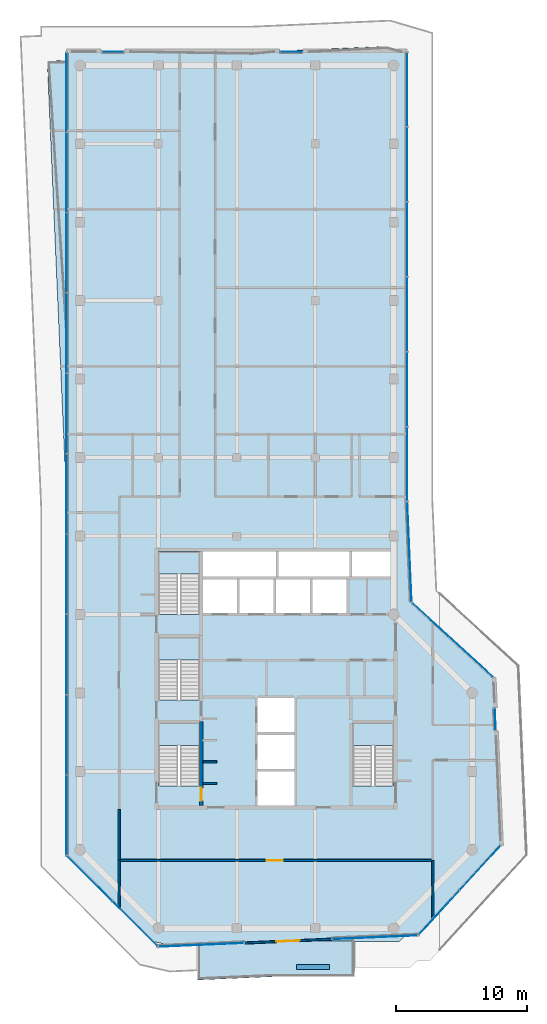
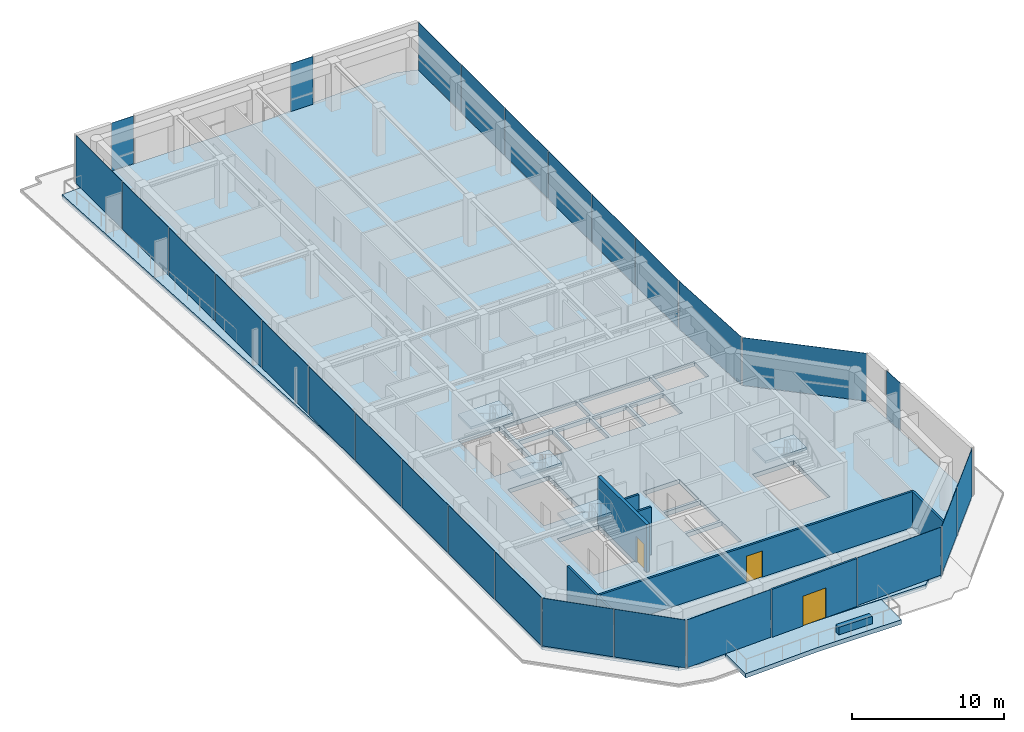
# One storey, part 15 of 20: 27 plates, 9 walls, 6 slabs, 3 doors, 3 openings, 15 elements without a shape of their own.
"""IFC4 building model written with IfcOpenShell, lengths in metres."""

from ifc_helpers import new_model, si_unit, direction, frame, frame_2d, origin, origin_2d, place, context, subcontext, project, spatial, polyline, rectangle, outline, extrude, material, layer, layer_set, type_object, element, fill, aggregate, save


model = new_model("IFC4")

# Units and contexts
model_context = context("Model", 3, precision=1e-05, world=origin(), true_north=direction((0.0, 1.0)))
body_context = subcontext(model_context, "Body", "Model", "MODEL_VIEW")
ifc_project = project(units=[si_unit("LENGTHUNIT", "METRE"), si_unit("AREAUNIT", "SQUARE_METRE"), si_unit("VOLUMEUNIT", "CUBIC_METRE"), si_unit("PLANEANGLEUNIT", "RADIAN"), si_unit("MASSUNIT", "GRAM", prefix="KILO")], contexts=[model_context])

# Site, building, storey
site_placement = place(None, origin())
site = spatial("IfcSite", under=ifc_project, at=site_placement, CompositionType="ELEMENT")
building_placement = place(site_placement, origin())
building = spatial("IfcBuilding", under=site, at=building_placement, Name="Welwitschia Terrace Campus", CompositionType="ELEMENT")
storey_placement = place(building_placement, frame((0.0, 0.0, 297.800048828125)))
storey = spatial("IfcBuildingStorey", under=building, at=storey_placement, Name="L66", CompositionType="ELEMENT", Elevation=297.800048828125)

# Curtain wall, plates
ifc_material_1 = material(Name="Bronze anodised aluminium", Category="aluminium")
ifc_layer_1 = layer(ifc_material_1, 0.1201171875)
ifc_layer_set_1 = layer_set([ifc_layer_1], Name="Bronze anodised aluminium")
curtain_wall_type = type_object("IfcCurtainWallType", Name="Curtain wall CW2 tower 6000", PredefinedType="NOTDEFINED", material=ifc_layer_set_1)
curtain_wall_1_placement = place(storey_placement, origin())
curtain_wall_1 = element("IfcCurtainWall", 1, at=curtain_wall_1_placement, inside=storey, type_object=curtain_wall_type, Name="CW L66.0.0", PredefinedType="NOTDEFINED")
ifc_material_2 = material(Name="Tinted bronze-grey glass", Category="glass")
ifc_layer_2 = layer(ifc_material_2, 0.028076171875)
ifc_layer_set_2 = layer_set([ifc_layer_2], Name="Tinted bronze-grey glass")
plate_type = type_object("IfcPlateType", Name="Glass panel 28 tinted", PredefinedType="CURTAIN_PANEL", material=ifc_layer_set_2)
plate_1_placement = place(storey_placement, frame((0.726806640625, -0.18359375, 0.0), z_axis=(0.0, 0.0, 1.0), x_axis=(0.707106781187, -0.707106781187, 0.0)))
plate_1 = element("IfcPlate", 2, at=plate_1_placement, type_object=plate_type, Name="Panel L66.0.0.0", PredefinedType="CURTAIN_PANEL", context=body_context, shape_type="SweptSolid", body=[
    extrude(rectangle(XDim=4.849365234375, YDim=0.028076171875, at=origin_2d()), origin(), (0.0, 0.0, 1.0), 3.85009765625),
])
plate_2_placement = place(storey_placement, frame((4.1982421875, -3.655029296875, 0.0), z_axis=(0.0, 0.0, 1.0), x_axis=(0.707106781187, -0.707106781187, 0.0)))
plate_2 = element("IfcPlate", 3, at=plate_2_placement, type_object=plate_type, Name="Panel L66.0.0.1", PredefinedType="CURTAIN_PANEL", context=body_context, shape_type="SweptSolid", body=[
    extrude(rectangle(XDim=4.849365234375, YDim=0.028076171875, at=origin_2d()), origin(), (0.0, 0.0, 1.0), 3.85009765625),
])
aggregate(curtain_wall_1, [plate_1, plate_2])

# Curtain wall, plate
curtain_wall_2_placement = place(storey_placement, origin())
curtain_wall_2 = element("IfcCurtainWall", 4, at=curtain_wall_2_placement, inside=storey, type_object=curtain_wall_type, Name="CW L66.1.0", PredefinedType="NOTDEFINED")
plate_3_placement = place(storey_placement, frame((9.275146484375, -5.266845703125, 0.0), z_axis=(0.0, 0.0, 1.0), x_axis=(0.999048221582, 0.043619387365, 0.0)))
plate_3 = element("IfcPlate", 5, at=plate_3_placement, type_object=plate_type, Name="Panel L66.1.0.0", PredefinedType="CURTAIN_PANEL", context=body_context, shape_type="SweptSolid", body=[
    extrude(rectangle(XDim=6.526123046875, YDim=0.028076171875, at=origin_2d()), origin(), (0.0, 0.0, 1.0), 3.85009765625),
])
aggregate(curtain_wall_2, [plate_3])

curtain_wall_3_placement = place(storey_placement, origin())
curtain_wall_3 = element("IfcCurtainWall", 6, at=curtain_wall_3_placement, inside=storey, type_object=curtain_wall_type, Name="CW L66.1.2", PredefinedType="NOTDEFINED")
plate_4_placement = place(storey_placement, frame((22.554443359375, -4.687255859375, 0.0), z_axis=(0.0, 0.0, 1.0), x_axis=(0.999048221582, 0.043619387365, 0.0)))
plate_4 = element("IfcPlate", 7, at=plate_4_placement, type_object=plate_type, Name="Panel L66.1.2.0", PredefinedType="CURTAIN_PANEL", context=body_context, shape_type="SweptSolid", body=[
    extrude(rectangle(XDim=6.526123046875, YDim=0.028076171875, at=origin_2d()), origin(), (0.0, 0.0, 1.0), 3.85009765625),
])
aggregate(curtain_wall_3, [plate_4])

# Curtain wall, plates
curtain_wall_4_placement = place(storey_placement, origin())
curtain_wall_4 = element("IfcCurtainWall", 8, at=curtain_wall_4_placement, inside=storey, type_object=curtain_wall_type, Name="CW L66.2.0", PredefinedType="NOTDEFINED")
plate_5_placement = place(storey_placement, frame((27.461669921875, -2.809814453125, 0.0), z_axis=(0.0, 0.0, 1.0), x_axis=(0.675590207616, 0.73727733681, 0.0)))
plate_5 = element("IfcPlate", 9, at=plate_5_placement, type_object=plate_type, Name="Panel L66.2.0.0", PredefinedType="CURTAIN_PANEL", context=body_context, shape_type="SweptSolid", body=[
    extrude(rectangle(XDim=4.579345703125, YDim=0.028076171875, at=origin_2d()), origin(), (0.0, 0.0, 1.0), 3.85009765625),
])
plate_6_placement = place(storey_placement, frame((30.595947265625, 0.610595703125, 0.0), z_axis=(0.0, 0.0, 1.0), x_axis=(0.675590207616, 0.73727733681, 0.0)))
plate_6 = element("IfcPlate", 10, at=plate_6_placement, type_object=plate_type, Name="Panel L66.2.0.1", PredefinedType="CURTAIN_PANEL", context=body_context, shape_type="SweptSolid", body=[
    extrude(rectangle(XDim=4.579345703125, YDim=0.028076171875, at=origin_2d()), origin(), (0.0, 0.0, 1.0), 3.85009765625),
])
aggregate(curtain_wall_4, [plate_5, plate_6])

# Curtain wall, plate
curtain_wall_5_placement = place(storey_placement, origin())
curtain_wall_5 = element("IfcCurtainWall", 11, at=curtain_wall_5_placement, inside=storey, type_object=curtain_wall_type, Name="CW L66.3.S0", PredefinedType="NOTDEFINED")
plate_7_placement = place(storey_placement, frame((31.762939453125, 11.9736328125, 0.0), z_axis=(0.0, 0.0, 1.0), x_axis=(-0.043619387365, 0.999048221582, 0.0)))
plate_7 = element("IfcPlate", 12, at=plate_7_placement, type_object=plate_type, Name="Panel L66.3.S0.0", PredefinedType="CURTAIN_PANEL", context=body_context, shape_type="SweptSolid", body=[
    extrude(rectangle(XDim=1.679931640625, YDim=0.028076171875, at=origin_2d()), origin(), (0.0, 0.0, 1.0), 3.85009765625),
])
aggregate(curtain_wall_5, [plate_7])

curtain_wall_6_placement = place(storey_placement, origin())
curtain_wall_6 = element("IfcCurtainWall", 13, at=curtain_wall_6_placement, inside=storey, type_object=curtain_wall_type, Name="CW L66.4.0", PredefinedType="NOTDEFINED")
plate_8_placement = place(storey_placement, frame((28.494873046875, 18.05029296875, 0.0), z_axis=(0.0, 0.0, 1.0), x_axis=(-0.73727733681, 0.675590207616, 0.0)))
plate_8 = element("IfcPlate", 14, at=plate_8_placement, type_object=plate_type, Name="Panel L66.4.0.0", PredefinedType="CURTAIN_PANEL", context=body_context, shape_type="SweptSolid", body=[
    extrude(rectangle(XDim=8.365234375, YDim=0.028076171875, at=origin_2d()), origin(), (0.0, 0.0, 1.0), 3.85009765625),
])
aggregate(curtain_wall_6, [plate_8])

curtain_wall_7_placement = place(storey_placement, origin())
curtain_wall_7 = element("IfcCurtainWall", 15, at=curtain_wall_7_placement, inside=storey, type_object=curtain_wall_type, Name="CW L66.5.0", PredefinedType="NOTDEFINED")
plate_9_placement = place(storey_placement, frame((25.198486328125, 24.77294921875, 0.0), z_axis=(0.0, 0.0, 1.0), x_axis=(-0.043619387365, 0.999048221582, 0.0)))
plate_9 = element("IfcPlate", 16, at=plate_9_placement, type_object=plate_type, Name="Panel L66.5.0.0", PredefinedType="CURTAIN_PANEL", context=body_context, shape_type="SweptSolid", body=[
    extrude(rectangle(XDim=7.60009765625, YDim=0.028076171875, at=origin_2d()), origin(), (0.0, 0.0, 1.0), 3.85009765625),
])
aggregate(curtain_wall_7, [plate_9])

# Curtain wall, plates
curtain_wall_8_placement = place(storey_placement, origin())
curtain_wall_8 = element("IfcCurtainWall", 17, at=curtain_wall_8_placement, inside=storey, type_object=curtain_wall_type, Name="CW L66.6.0", PredefinedType="NOTDEFINED")
plate_10_placement = place(storey_placement, frame((25.030029296875, 31.510498046875, 0.0), z_axis=(0.0, 0.0, 1.0), x_axis=(0.0, 1.0, 0.0)))
plate_10 = element("IfcPlate", 18, at=plate_10_placement, type_object=plate_type, Name="Panel L66.6.0.0", PredefinedType="CURTAIN_PANEL", context=body_context, shape_type="SweptSolid", body=[
    extrude(rectangle(XDim=5.64208984375, YDim=0.028076171875, at=origin_2d()), origin(), (0.0, 0.0, 1.0), 3.85009765625),
])
plate_11_placement = place(storey_placement, frame((25.030029296875, 37.2275390625, 0.0), z_axis=(0.0, 0.0, 1.0), x_axis=(0.0, 1.0, 0.0)))
plate_11 = element("IfcPlate", 19, at=plate_11_placement, type_object=plate_type, Name="Panel L66.6.0.1", PredefinedType="CURTAIN_PANEL", context=body_context, shape_type="SweptSolid", body=[
    extrude(rectangle(XDim=5.672119140625, YDim=0.028076171875, at=origin_2d()), origin(), (0.0, 0.0, 1.0), 3.85009765625),
])
plate_12_placement = place(storey_placement, frame((25.030029296875, 42.959716796875, 0.0), z_axis=(0.0, 0.0, 1.0), x_axis=(0.0, 1.0, 0.0)))
plate_12 = element("IfcPlate", 20, at=plate_12_placement, type_object=plate_type, Name="Panel L66.6.0.2", PredefinedType="CURTAIN_PANEL", context=body_context, shape_type="SweptSolid", body=[
    extrude(rectangle(XDim=5.672119140625, YDim=0.028076171875, at=origin_2d()), origin(), (0.0, 0.0, 1.0), 3.85009765625),
])
plate_13_placement = place(storey_placement, frame((25.030029296875, 48.69189453125, 0.0), z_axis=(0.0, 0.0, 1.0), x_axis=(0.0, 1.0, 0.0)))
plate_13 = element("IfcPlate", 21, at=plate_13_placement, type_object=plate_type, Name="Panel L66.6.0.3", PredefinedType="CURTAIN_PANEL", context=body_context, shape_type="SweptSolid", body=[
    extrude(rectangle(XDim=5.672119140625, YDim=0.028076171875, at=origin_2d()), origin(), (0.0, 0.0, 1.0), 3.85009765625),
])
plate_14_placement = place(storey_placement, frame((25.030029296875, 54.424072265625, 0.0), z_axis=(0.0, 0.0, 1.0), x_axis=(0.0, 1.0, 0.0)))
plate_14 = element("IfcPlate", 22, at=plate_14_placement, type_object=plate_type, Name="Panel L66.6.0.4", PredefinedType="CURTAIN_PANEL", context=body_context, shape_type="SweptSolid", body=[
    extrude(rectangle(XDim=5.672119140625, YDim=0.028076171875, at=origin_2d()), origin(), (0.0, 0.0, 1.0), 3.85009765625),
])
plate_15_placement = place(storey_placement, frame((25.030029296875, 60.141357421875, 0.0), z_axis=(0.0, 0.0, 1.0), x_axis=(0.0, 1.0, 0.0)))
plate_15 = element("IfcPlate", 23, at=plate_15_placement, type_object=plate_type, Name="Panel L66.6.0.5", PredefinedType="CURTAIN_PANEL", context=body_context, shape_type="SweptSolid", body=[
    extrude(rectangle(XDim=5.64208984375, YDim=0.028076171875, at=origin_2d()), origin(), (0.0, 0.0, 1.0), 3.85009765625),
])
aggregate(curtain_wall_8, [plate_10, plate_11, plate_12, plate_13, plate_14, plate_15])

# Curtain wall, plate
curtain_wall_9_placement = place(storey_placement, origin())
curtain_wall_9 = element("IfcCurtainWall", 24, at=curtain_wall_9_placement, inside=storey, type_object=curtain_wall_type, Name="CW L66.7.S0", PredefinedType="NOTDEFINED")
plate_16_placement = place(storey_placement, frame((16.17041015625, 63.028076171875, 0.0), z_axis=(0.0, 0.0, 1.0), x_axis=(-0.999999794897, 0.000640473955, 0.0)))
plate_16 = element("IfcPlate", 25, at=plate_16_placement, type_object=plate_type, Name="Panel L66.7.S0.0", PredefinedType="CURTAIN_PANEL", context=body_context, shape_type="SweptSolid", body=[
    extrude(rectangle(XDim=1.679931640625, YDim=0.028076171875, at=origin_2d()), origin(), (0.0, 0.0, 1.0), 3.85009765625),
])
aggregate(curtain_wall_9, [plate_16])

curtain_wall_10_placement = place(storey_placement, origin())
curtain_wall_10 = element("IfcCurtainWall", 26, at=curtain_wall_10_placement, inside=storey, type_object=curtain_wall_type, Name="CW L66.8.S0", PredefinedType="NOTDEFINED")
plate_17_placement = place(storey_placement, frame((2.53173828125, 63.030029296875, 0.0), z_axis=(0.0, 0.0, 1.0), x_axis=(-1.0, 0.0, 0.0)))
plate_17 = element("IfcPlate", 27, at=plate_17_placement, type_object=plate_type, Name="Panel L66.8.S0.0", PredefinedType="CURTAIN_PANEL", context=body_context, shape_type="SweptSolid", body=[
    extrude(rectangle(XDim=1.679931640625, YDim=0.028076171875, at=origin_2d()), origin(), (0.0, 0.0, 1.0), 3.85009765625),
])
aggregate(curtain_wall_10, [plate_17])

# Curtain wall, plates
curtain_wall_11_placement = place(storey_placement, origin())
curtain_wall_11 = element("IfcCurtainWall", 28, at=curtain_wall_11_placement, inside=storey, type_object=curtain_wall_type, Name="CW L66.9.0", PredefinedType="NOTDEFINED")
plate_18_placement = place(storey_placement, frame((-1.030029296875, 59.942138671875, 0.0), z_axis=(0.0, 0.0, 1.0), x_axis=(0.0, -1.0, 0.0)))
plate_18 = element("IfcPlate", 29, at=plate_18_placement, type_object=plate_type, Name="Panel L66.9.0.0", PredefinedType="CURTAIN_PANEL", context=body_context, shape_type="SweptSolid", body=[
    extrude(rectangle(XDim=6.0556640625, YDim=0.028076171875, at=origin_2d()), origin(), (0.0, 0.0, 1.0), 3.85009765625),
])
plate_19_placement = place(storey_placement, frame((-1.030029296875, 53.8115234375, 0.0), z_axis=(0.0, 0.0, 1.0), x_axis=(0.0, -1.0, 0.0)))
plate_19 = element("IfcPlate", 30, at=plate_19_placement, type_object=plate_type, Name="Panel L66.9.0.1", PredefinedType="CURTAIN_PANEL", context=body_context, shape_type="SweptSolid", body=[
    extrude(rectangle(XDim=6.085693359375, YDim=0.028076171875, at=origin_2d()), origin(), (0.0, 0.0, 1.0), 3.85009765625),
])
plate_20_placement = place(storey_placement, frame((-1.030029296875, 47.665771484375, 0.0), z_axis=(0.0, 0.0, 1.0), x_axis=(0.0, -1.0, 0.0)))
plate_20 = element("IfcPlate", 31, at=plate_20_placement, type_object=plate_type, Name="Panel L66.9.0.2", PredefinedType="CURTAIN_PANEL", context=body_context, shape_type="SweptSolid", body=[
    extrude(rectangle(XDim=6.085693359375, YDim=0.028076171875, at=origin_2d()), origin(), (0.0, 0.0, 1.0), 3.85009765625),
])
plate_21_placement = place(storey_placement, frame((-1.030029296875, 41.520263671875, 0.0), z_axis=(0.0, 0.0, 1.0), x_axis=(0.0, -1.0, 0.0)))
plate_21 = element("IfcPlate", 32, at=plate_21_placement, type_object=plate_type, Name="Panel L66.9.0.3", PredefinedType="CURTAIN_PANEL", context=body_context, shape_type="SweptSolid", body=[
    extrude(rectangle(XDim=6.085693359375, YDim=0.028076171875, at=origin_2d()), origin(), (0.0, 0.0, 1.0), 3.85009765625),
])
plate_22_placement = place(storey_placement, frame((-1.030029296875, 35.37451171875, 0.0), z_axis=(0.0, 0.0, 1.0), x_axis=(0.0, -1.0, 0.0)))
plate_22 = element("IfcPlate", 33, at=plate_22_placement, type_object=plate_type, Name="Panel L66.9.0.4", PredefinedType="CURTAIN_PANEL", context=body_context, shape_type="SweptSolid", body=[
    extrude(rectangle(XDim=6.085693359375, YDim=0.028076171875, at=origin_2d()), origin(), (0.0, 0.0, 1.0), 3.85009765625),
])
plate_23_placement = place(storey_placement, frame((-1.030029296875, 29.228759765625, 0.0), z_axis=(0.0, 0.0, 1.0), x_axis=(0.0, -1.0, 0.0)))
plate_23 = element("IfcPlate", 34, at=plate_23_placement, type_object=plate_type, Name="Panel L66.9.0.5", PredefinedType="CURTAIN_PANEL", context=body_context, shape_type="SweptSolid", body=[
    extrude(rectangle(XDim=6.085693359375, YDim=0.028076171875, at=origin_2d()), origin(), (0.0, 0.0, 1.0), 3.85009765625),
])
plate_24_placement = place(storey_placement, frame((-1.030029296875, 23.083251953125, 0.0), z_axis=(0.0, 0.0, 1.0), x_axis=(0.0, -1.0, 0.0)))
plate_24 = element("IfcPlate", 35, at=plate_24_placement, type_object=plate_type, Name="Panel L66.9.0.6", PredefinedType="CURTAIN_PANEL", context=body_context, shape_type="SweptSolid", body=[
    extrude(rectangle(XDim=6.085693359375, YDim=0.028076171875, at=origin_2d()), origin(), (0.0, 0.0, 1.0), 3.85009765625),
])
plate_25_placement = place(storey_placement, frame((-1.030029296875, 16.9375, 0.0), z_axis=(0.0, 0.0, 1.0), x_axis=(0.0, -1.0, 0.0)))
plate_25 = element("IfcPlate", 36, at=plate_25_placement, type_object=plate_type, Name="Panel L66.9.0.7", PredefinedType="CURTAIN_PANEL", context=body_context, shape_type="SweptSolid", body=[
    extrude(rectangle(XDim=6.085693359375, YDim=0.028076171875, at=origin_2d()), origin(), (0.0, 0.0, 1.0), 3.85009765625),
])
plate_26_placement = place(storey_placement, frame((-1.030029296875, 10.791748046875, 0.0), z_axis=(0.0, 0.0, 1.0), x_axis=(0.0, -1.0, 0.0)))
plate_26 = element("IfcPlate", 37, at=plate_26_placement, type_object=plate_type, Name="Panel L66.9.0.8", PredefinedType="CURTAIN_PANEL", context=body_context, shape_type="SweptSolid", body=[
    extrude(rectangle(XDim=6.085693359375, YDim=0.028076171875, at=origin_2d()), origin(), (0.0, 0.0, 1.0), 3.85009765625),
])
plate_27_placement = place(storey_placement, frame((-1.030029296875, 4.6611328125, 0.0), z_axis=(0.0, 0.0, 1.0), x_axis=(0.0, -1.0, 0.0)))
plate_27 = element("IfcPlate", 38, at=plate_27_placement, type_object=plate_type, Name="Panel L66.9.0.9", PredefinedType="CURTAIN_PANEL", context=body_context, shape_type="SweptSolid", body=[
    extrude(rectangle(XDim=6.0556640625, YDim=0.028076171875, at=origin_2d()), origin(), (0.0, 0.0, 1.0), 3.85009765625),
])
aggregate(curtain_wall_11, [plate_18, plate_19, plate_20, plate_21, plate_22, plate_23, plate_24, plate_25, plate_26, plate_27])

# Stair, slab
ifc_material_3 = material(Name="Concrete C40/50", Category="concrete")
stair_type = type_object("IfcStairType", Name="Stair 24R 175 W1500", PredefinedType="HALF_TURN_STAIR", material=ifc_material_3)
stair_1_placement = place(storey_placement, origin())
stair_1 = element("IfcStair", 39, at=stair_1_placement, inside=storey, type_object=stair_type, Name="L66 Exit stair S1", PredefinedType="HALF_TURN_STAIR")
ifc_material_4 = material(Name="Concrete C40/50", Category="concrete")
ifc_layer_3 = layer(ifc_material_4, 0.199951171875)
ifc_layer_set_3 = layer_set([ifc_layer_3], Name="Concrete C40/50")
slab_type_1 = type_object("IfcSlabType", Name="Stair landing RC", PredefinedType="LANDING", material=ifc_layer_set_3)
slab_1_placement = place(storey_placement, frame((0.0, 0.0, 1.89990234375)))
slab_1 = element("IfcSlab", 40, at=slab_1_placement, type_object=slab_type_1, Name="S1 landing 1", PredefinedType="LANDING", context=body_context, shape_type="SweptSolid", body=[
    extrude(outline(polyline([(9.14990234375, 9.97998046875), (9.14990234375, 11.699951171875), (6.0, 11.699951171875), (6.0, 9.97998046875), (9.14990234375, 9.97998046875)])), origin(), (0.0, 0.0, 1.0), 0.199951171875),
])
aggregate(stair_1, [slab_1])

stair_2_placement = place(storey_placement, origin())
stair_2 = element("IfcStair", 41, at=stair_2_placement, inside=storey, type_object=stair_type, Name="L66 Exit stair S3", PredefinedType="HALF_TURN_STAIR")
slab_2_placement = place(storey_placement, frame((0.0, 0.0, 1.89990234375)))
slab_2 = element("IfcSlab", 42, at=slab_2_placement, type_object=slab_type_1, Name="S3 landing 1", PredefinedType="LANDING", context=body_context, shape_type="SweptSolid", body=[
    extrude(outline(polyline([(9.14990234375, 16.530029296875), (9.14990234375, 18.25), (6.0, 18.25), (6.0, 16.530029296875), (9.14990234375, 16.530029296875)])), origin(), (0.0, 0.0, 1.0), 0.199951171875),
])
aggregate(stair_2, [slab_2])

stair_3_placement = place(storey_placement, origin())
stair_3 = element("IfcStair", 43, at=stair_3_placement, inside=storey, type_object=stair_type, Name="L66 Exit stair S4", PredefinedType="HALF_TURN_STAIR")
slab_3_placement = place(storey_placement, frame((0.0, 0.0, 1.89990234375)))
slab_3 = element("IfcSlab", 44, at=slab_3_placement, type_object=slab_type_1, Name="S4 landing 1", PredefinedType="LANDING", context=body_context, shape_type="SweptSolid", body=[
    extrude(outline(polyline([(9.14990234375, 23.080078125), (9.14990234375, 24.800048828125), (6.0, 24.800048828125), (6.0, 23.080078125), (9.14990234375, 23.080078125)])), origin(), (0.0, 0.0, 1.0), 0.199951171875),
])
aggregate(stair_3, [slab_3])

stair_4_placement = place(storey_placement, origin())
stair_4 = element("IfcStair", 45, at=stair_4_placement, inside=storey, type_object=stair_type, Name="L66 Exit stair S2", PredefinedType="HALF_TURN_STAIR")
slab_4_placement = place(storey_placement, frame((0.0, 0.0, 1.89990234375)))
slab_4 = element("IfcSlab", 46, at=slab_4_placement, type_object=slab_type_1, Name="S2 landing 1", PredefinedType="LANDING", context=body_context, shape_type="SweptSolid", body=[
    extrude(outline(polyline([(24.0, 9.97998046875), (24.0, 11.699951171875), (20.85009765625, 11.699951171875), (20.85009765625, 9.97998046875), (24.0, 9.97998046875)])), origin(), (0.0, 0.0, 1.0), 0.199951171875),
])
aggregate(stair_4, [slab_4])

# Slabs
ifc_material_5 = material(Name="Concrete C40/50", Category="concrete")
ifc_layer_4 = layer(ifc_material_5, 0.35009765625)
ifc_layer_set_4 = layer_set([ifc_layer_4], Name="Concrete C40/50")
slab_type_2 = type_object("IfcSlabType", Name="Suspended floor slab 350", PredefinedType="FLOOR", material=ifc_layer_set_4)
slab_5_placement = place(storey_placement, frame((0.0, 0.0, -0.35009765625)))
element("IfcSlab", 47, at=slab_5_placement, inside=storey, type_object=slab_type_2, Name="Floor slab L66", PredefinedType="FLOOR", context=body_context, shape_type="SweptSolid", body=[
    extrude(outline(polyline([(-1.0, 62.379150390625), (-1.0, 63.0), (13.2177734375, 63.0), (23.479736328125, 63.447998046875), (25.0, 63.0), (25.0, 28.628662109375), (25.33740234375, 20.90283203125), (31.59326171875, 15.170166015625), (32.15283203125, 2.35400390625), (25.860595703125, -4.5126953125), (24.857666015625, -4.556640625), (24.414306640625, -5.0), (21.001953125, -5.0), (21.001953125, -4.985107421875), (14.701416015625, -4.985107421875), (14.700927734375, -4.985107421875), (8.997314453125, -5.234130859375), (8.998046875, -5.2490234375), (7.050048828125, -5.333984375), (5.585693359375, -5.0), (-1.0, 1.585693359375), (-1.0, 28.061279296875), (-2.49560546875, 62.31396484375), (-1.0, 62.379150390625)]), holes=[polyline([(13.60009765625, 5.39990234375), (16.39990234375, 5.39990234375), (16.39990234375, 8.0), (13.60009765625, 8.0), (13.60009765625, 5.39990234375)]), polyline([(6.0, 11.699951171875), (6.0, 6.902099609375), (9.14990234375, 6.902099609375), (9.14990234375, 11.699951171875), (6.0, 11.699951171875)]), polyline([(6.0, 18.25), (6.0, 13.451904296875), (9.14990234375, 13.451904296875), (9.14990234375, 18.25), (6.0, 18.25)]), polyline([(9.39990234375, 22.699951171875), (9.39990234375, 20.10009765625), (12.0, 20.10009765625), (12.0, 22.699951171875), (9.39990234375, 22.699951171875)]), polyline([(12.199951171875, 22.699951171875), (12.199951171875, 20.10009765625), (14.800048828125, 20.10009765625), (14.800048828125, 22.699951171875), (12.199951171875, 22.699951171875)]), polyline([(6.0, 24.800048828125), (6.0, 20.001953125), (9.14990234375, 20.001953125), (9.14990234375, 24.800048828125), (6.0, 24.800048828125)]), polyline([(9.39990234375, 24.800048828125), (9.39990234375, 22.89990234375), (15.0, 22.89990234375), (15.0, 24.800048828125), (9.39990234375, 24.800048828125)]), polyline([(20.85009765625, 6.902099609375), (24.0, 6.902099609375), (24.0, 11.699951171875), (20.85009765625, 11.699951171875), (20.85009765625, 6.902099609375)]), polyline([(13.60009765625, 10.800048828125), (13.60009765625, 8.199951171875), (16.39990234375, 8.199951171875), (16.39990234375, 10.800048828125), (13.60009765625, 10.800048828125)]), polyline([(13.60009765625, 13.60009765625), (13.60009765625, 11.0), (16.39990234375, 11.0), (16.39990234375, 13.60009765625), (13.60009765625, 13.60009765625)]), polyline([(15.0, 22.699951171875), (15.0, 20.10009765625), (17.60009765625, 20.10009765625), (17.60009765625, 22.699951171875), (15.0, 22.699951171875)]), polyline([(17.800048828125, 22.699951171875), (17.800048828125, 20.10009765625), (20.39990234375, 20.10009765625), (20.39990234375, 22.699951171875), (17.800048828125, 22.699951171875)]), polyline([(15.199951171875, 24.800048828125), (15.199951171875, 22.89990234375), (20.60009765625, 22.89990234375), (20.60009765625, 24.800048828125), (15.199951171875, 24.800048828125)]), polyline([(20.800048828125, 24.800048828125), (20.800048828125, 22.89990234375), (24.0, 22.89990234375), (24.0, 24.800048828125), (20.800048828125, 24.800048828125)])]), origin(), (0.0, 0.0, 1.0), 0.35009765625),
])
ifc_material_6 = material(Name="Concrete C40/50", Category="concrete")
ifc_layer_5 = layer(ifc_material_6, 0.35009765625)
ifc_layer_set_5 = layer_set([ifc_layer_5], Name="Concrete C40/50")
slab_type_3 = type_object("IfcSlabType", Name="Terrace slab 350", PredefinedType="FLOOR", material=ifc_layer_set_5)
slab_6_placement = place(storey_placement, frame((0.0, 0.0, -0.35009765625)))
element("IfcSlab", 48, at=slab_6_placement, inside=storey, type_object=slab_type_3, Name="Terrace slab", PredefinedType="FLOOR", context=body_context, shape_type="SweptSolid", body=[
    extrude(outline(polyline([(21.0, -7.699951171875), (14.760498046875, -7.699951171875), (9.0, -7.951416015625), (9.0, -5.263916015625), (14.701904296875, -5.014892578125), (21.0, -5.014892578125), (21.0, -7.699951171875)])), origin(), (0.0, 0.0, 1.0), 0.35009765625),
])

# Wall, opening, door
ifc_material_7 = material(Name="Concrete C40/50", Category="concrete")
ifc_layer_6 = layer(ifc_material_7, 0.139892578125)
ifc_layer_set_6 = layer_set([ifc_layer_6], Name="Concrete C40/50")
wall_type_1 = type_object("IfcWallType", Name="Clad wall 140", PredefinedType="SOLIDWALL", material=ifc_layer_set_6)
wall_1_placement = place(storey_placement, frame((12.594970703125, -5.1220703125, 0.0), z_axis=(0.0, 0.0, 1.0), x_axis=(0.999047265648, 0.043641276349, 0.0)))
wall_1 = element("IfcWall", 49, at=wall_1_placement, inside=storey, type_object=wall_type_1, Name="Clad wall L66.terrace door 0", PredefinedType="SOLIDWALL", context=body_context, shape_type="SweptSolid", body=[
    extrude(rectangle(XDim=6.64599609375, YDim=0.139892578125, at=frame_2d((3.322998046875, 0.0))), origin(), (0.0, 0.0, 1.0), 3.849853515625),
])
opening_1_placement = place(wall_1_placement, frame((2.423095703125, 0.0, 0.0)))
opening_1 = element("IfcOpeningElement", 50, at=opening_1_placement, cuts=wall_1, Name="Opening DE3", PredefinedType="OPENING", context=body_context, shape_type="SweptSolid", body=[
    extrude(rectangle(XDim=1.800048828125, YDim=2.39990234375, at=frame_2d((0.89990234375, 1.199951171875))), frame((0.0, 0.079833984375, 0.0), z_axis=(0.0, -1.0, 0.0), x_axis=(1.0, 0.0, 0.0)), (0.0, 0.0, 1.0), 0.159912109375),
])
ifc_material_8 = material(Name="Bronze anodised aluminium and glass", Category="aluminium")
door_type_1 = type_object("IfcDoorType", Name="Terrace door 1800x2400", OperationType="DOUBLE_DOOR_DOUBLE_SWING", PredefinedType="DOOR", material=ifc_material_8)
door_1_placement = place(opening_1_placement, origin())
door_1 = element("IfcDoor", 51, at=door_1_placement, inside=storey, type_object=door_type_1, Name="Door L66:T0", OperationType="DOUBLE_DOOR_DOUBLE_SWING", OverallHeight=2.39990234375, OverallWidth=1.800048828125, PredefinedType="DOOR", context=body_context, shape_type="SweptSolid", body=[
    extrude(rectangle(XDim=1.800048828125, YDim=2.39990234375, at=frame_2d((0.89990234375, 1.199951171875))), frame((0.0, 0.02490234375, 0.0), z_axis=(0.0, -1.0, 0.0), x_axis=(1.0, 0.0, 0.0)), (0.0, 0.0, 1.0), 0.050048828125),
])
fill(opening_1, door_1)

# Walls
ifc_material_9 = material(Name="Concrete C50/60", Category="concrete")
ifc_layer_7 = layer(ifc_material_9, 0.14990234375)
ifc_layer_set_7 = layer_set([ifc_layer_7], Name="Concrete C50/60")
wall_type_2 = type_object("IfcWallType", Name="Core wall 150 Concrete C50/60", PredefinedType="SHEAR", material=ifc_layer_set_7)
for number, where, z_axis, x_axis, name in (
    (52, (9.39990234375, 7.074951171875, 0.0), (0.0, 0.0, 1.0), (1.0, 0.0, 0.0), "Core wall"),
    (53, (9.39990234375, 8.72509765625, 0.0), (0.0, 0.0, 1.0), (1.0, 0.0, 0.0), "Core wall"),
):
    element("IfcWall", number, at=place(storey_placement, frame(where, z_axis=z_axis, x_axis=x_axis)), inside=storey, type_object=wall_type_2, Name=name, PredefinedType="SHEAR", context=body_context, shape_type="SweptSolid", body=[
        extrude(rectangle(XDim=1.050048828125, YDim=0.14990234375, at=frame_2d((0.52490234375, 0.0))), origin(), (0.0, 0.0, 1.0), 3.849853515625),
    ])

# Wall, opening, door
ifc_material_10 = material(Name="Concrete C50/60", Category="concrete")
ifc_layer_8 = layer(ifc_material_10, 0.25)
ifc_layer_set_8 = layer_set([ifc_layer_8], Name="Concrete C50/60")
wall_type_3 = type_object("IfcWallType", Name="Core wall 250 Concrete C50/60", PredefinedType="SHEAR", material=ifc_layer_set_8)
wall_2_placement = place(storey_placement, frame((9.27490234375, 11.824951171875, 0.0), z_axis=(0.0, 0.0, 1.0), x_axis=(0.0, -1.0, 0.0)))
wall_2 = element("IfcWall", 54, at=wall_2_placement, inside=storey, type_object=wall_type_3, Name="Core wall", PredefinedType="SHEAR", context=body_context, shape_type="SweptSolid", body=[
    extrude(rectangle(XDim=6.425048828125, YDim=0.25, at=frame_2d((3.21240234375, 0.0))), origin(), (0.0, 0.0, 1.0), 3.849853515625),
])
opening_2_placement = place(wall_2_placement, frame((5.074951171875, 0.0, 0.0)))
opening_2 = element("IfcOpeningElement", 55, at=opening_2_placement, cuts=wall_2, Name="Opening DS10", PredefinedType="OPENING", context=body_context, shape_type="SweptSolid", body=[
    extrude(rectangle(XDim=1.0, YDim=2.10009765625, at=frame_2d((0.5, 1.050048828125))), frame((0.0, 0.135009765625, 0.0), z_axis=(0.0, -1.0, 0.0), x_axis=(1.0, 0.0, 0.0)), (0.0, 0.0, 1.0), 0.27001953125),
])
ifc_material_11 = material(Name="Steel S275", Category="steel")
door_type_2 = type_object("IfcDoorType", Name="Core door DS10", OperationType="SINGLE_SWING_LEFT", PredefinedType="DOOR", material=ifc_material_11)
door_2_placement = place(opening_2_placement, origin())
door_2 = element("IfcDoor", 56, at=door_2_placement, inside=storey, type_object=door_type_2, Name="Door S1-FL", OperationType="SINGLE_SWING_RIGHT", OverallHeight=2.10009765625, OverallWidth=1.0, PredefinedType="DOOR", context=body_context, shape_type="SweptSolid", body=[
    extrude(rectangle(XDim=1.0, YDim=2.10009765625, at=frame_2d((0.5, 1.050048828125))), frame((0.0, 0.02490234375, 0.0), z_axis=(0.0, -1.0, 0.0), x_axis=(1.0, 0.0, 0.0)), (0.0, 0.0, 1.0), 0.050048828125),
])
fill(opening_2, door_2)

# Walls
ifc_material_12 = material(Name="Gypsum board on steel studs", Category="steel")
ifc_layer_9 = layer(ifc_material_12, 0.14990234375)
ifc_layer_set_9 = layer_set([ifc_layer_9], Name="Gypsum board on steel studs")
wall_type_4 = type_object("IfcWallType", Name="Corridor partition 150 EI 30", PredefinedType="PARTITIONING", material=ifc_layer_set_9)
wall_3_placement = place(storey_placement, frame((3.0, -2.389892578125, 0.0), z_axis=(0.0, 0.0, 1.0), x_axis=(0.0, 1.0, 0.0)))
element("IfcWall", 57, at=wall_3_placement, inside=storey, type_object=wall_type_4, Name="Partition", PredefinedType="PARTITIONING", context=body_context, shape_type="SweptSolid", body=[
    extrude(rectangle(XDim=3.58984375, YDim=0.14990234375, at=frame_2d((1.794921875, 0.0))), origin(), (0.0, 0.0, 1.0), 2.89990234375),
])
wall_4_placement = place(storey_placement, frame((3.0, 1.199951171875, 0.0), z_axis=(0.0, 0.0, 1.0), x_axis=(0.0, 1.0, 0.0)))
element("IfcWall", 58, at=wall_4_placement, inside=storey, type_object=wall_type_4, Name="Partition", PredefinedType="PARTITIONING", context=body_context, shape_type="SweptSolid", body=[
    extrude(rectangle(XDim=3.900146484375, YDim=0.14990234375, at=frame_2d((1.9501953125, 0.0))), origin(), (0.0, 0.0, 1.0), 2.89990234375),
])
wall_5_placement = place(storey_placement, frame((27.0, -3.239990234375, 0.0), z_axis=(0.0, 0.0, 1.0), x_axis=(0.0, 1.0, 0.0)))
element("IfcWall", 59, at=wall_5_placement, inside=storey, type_object=wall_type_4, Name="Partition", PredefinedType="PARTITIONING", context=body_context, shape_type="SweptSolid", body=[
    extrude(rectangle(XDim=4.43994140625, YDim=0.14990234375, at=frame_2d((2.219970703125, 0.0))), origin(), (0.0, 0.0, 1.0), 2.89990234375),
])

# Wall, opening, door
wall_6_placement = place(storey_placement, frame((27.0, 1.199951171875, 0.0), z_axis=(0.0, 0.0, 1.0), x_axis=(-1.0, 0.0, 0.0)))
wall_6 = element("IfcWall", 60, at=wall_6_placement, inside=storey, type_object=wall_type_4, Name="Partition", PredefinedType="PARTITIONING", context=body_context, shape_type="SweptSolid", body=[
    extrude(rectangle(XDim=24.0, YDim=0.14990234375, at=frame_2d((12.0, 0.0))), origin(), (0.0, 0.0, 1.0), 2.89990234375),
])
opening_3_placement = place(wall_6_placement, frame((11.5, 0.0, 0.0)))
opening_3 = element("IfcOpeningElement", 61, at=opening_3_placement, cuts=wall_6, Name="Opening DI12", PredefinedType="OPENING", context=body_context, shape_type="SweptSolid", body=[
    extrude(rectangle(XDim=1.199951171875, YDim=2.10009765625, at=frame_2d((0.60009765625, 1.050048828125))), frame((0.0, 0.0849609375, 0.0), z_axis=(0.0, -1.0, 0.0), x_axis=(1.0, 0.0, 0.0)), (0.0, 0.0, 1.0), 0.169921875),
])
ifc_material_13 = material(Name="Timber veneered door", Category="wood")
door_type_3 = type_object("IfcDoorType", Name="Interior door DI12", OperationType="NOTDEFINED", PredefinedType="DOOR", material=ifc_material_13)
door_3_placement = place(opening_3_placement, origin())
door_3 = element("IfcDoor", 62, at=door_3_placement, inside=storey, type_object=door_type_3, Name="Door L66 1181", OperationType="SINGLE_SWING_RIGHT", OverallHeight=2.10009765625, OverallWidth=1.199951171875, PredefinedType="DOOR", context=body_context, shape_type="SweptSolid", body=[
    extrude(rectangle(XDim=1.199951171875, YDim=2.10009765625, at=frame_2d((0.60009765625, 1.050048828125))), frame((0.0, 0.02490234375, 0.0), z_axis=(0.0, -1.0, 0.0), x_axis=(1.0, 0.0, 0.0)), (0.0, 0.0, 1.0), 0.050048828125),
])
fill(opening_3, door_3)

# Wall
ifc_material_14 = material(Name="Concrete C40/50", Category="concrete")
ifc_layer_10 = layer(ifc_material_14, 0.39990234375)
ifc_layer_set_10 = layer_set([ifc_layer_10], Name="Concrete C40/50")
wall_type_5 = type_object("IfcWallType", Name="Planter wall 400", PredefinedType="SOLIDWALL", material=ifc_layer_set_10)
wall_7_placement = place(storey_placement, frame((19.10009765625, -6.949951171875, 0.0), z_axis=(0.0, 0.0, 1.0), x_axis=(-1.0, 0.0, 0.0)))
element("IfcWall", 63, at=wall_7_placement, inside=storey, type_object=wall_type_5, Name="PLANTER", PredefinedType="SOLIDWALL", context=body_context, shape_type="SweptSolid", body=[
    extrude(rectangle(XDim=2.541748046875, YDim=0.39990234375, at=frame_2d((1.27099609375, 0.0))), origin(), (0.0, 0.0, 1.0), 0.599853515625),
])

save(model, "model.ifc")
